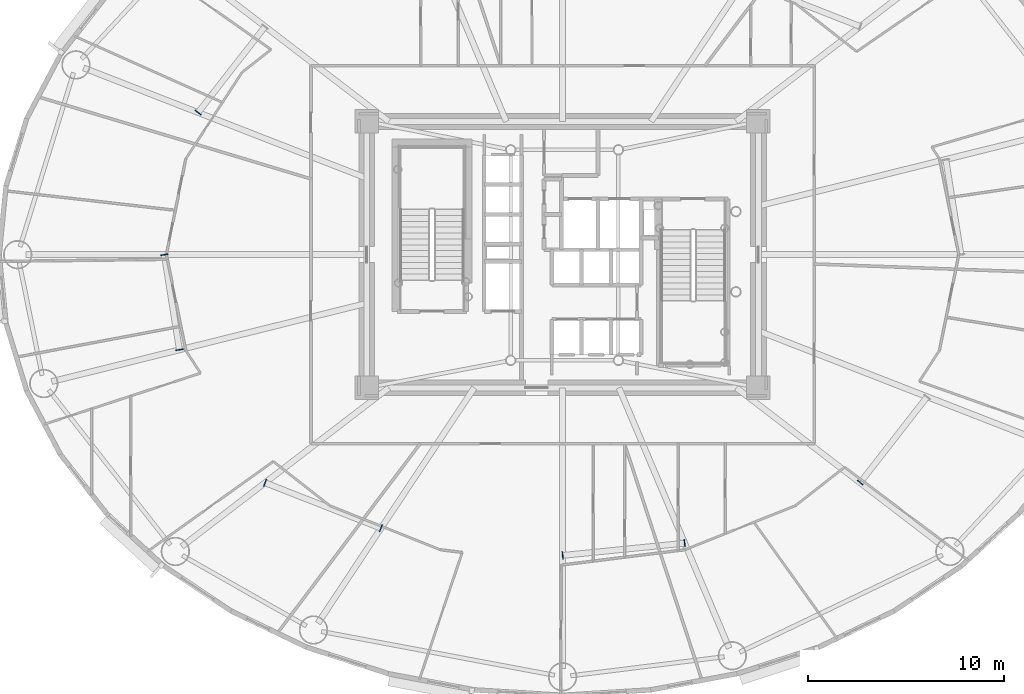
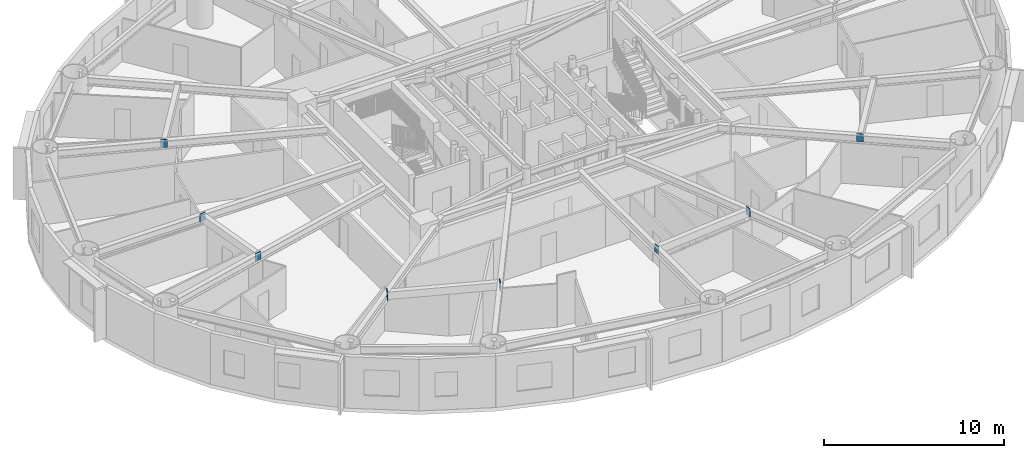
# One storey, part 6 of 19: 8 plates.
"""IFC4 building model written with IfcOpenShell, lengths in metres."""

from ifc_helpers import new_model, si_unit, direction, frame, origin, origin_2d, place, context, subcontext, project, spatial, rectangle, extrude, source, transform, mapped, material, layer, layer_set, type_object, element, save


model = new_model("IFC4")

# Units and contexts
model_context = context("Model", 3, precision=1e-05, world=origin(), true_north=direction((0.0, 1.0)))
body_context = subcontext(model_context, "Body", "Model", "MODEL_VIEW")
ifc_project = project(units=[si_unit("LENGTHUNIT", "METRE"), si_unit("AREAUNIT", "SQUARE_METRE"), si_unit("VOLUMEUNIT", "CUBIC_METRE"), si_unit("PLANEANGLEUNIT", "RADIAN"), si_unit("MASSUNIT", "GRAM", prefix="KILO")], contexts=[model_context])

# Site, building, storey
site_placement = place(None, origin())
site = spatial("IfcSite", under=ifc_project, at=site_placement, CompositionType="ELEMENT")
building_placement = place(site_placement, origin())
building = spatial("IfcBuilding", under=site, at=building_placement, Name="Linh Dai School and Residence Tower", CompositionType="ELEMENT")
storey_placement = place(building_placement, frame((0.0, 0.0, 112.199951171875)))
storey = spatial("IfcBuildingStorey", under=building, at=storey_placement, Name="L26", CompositionType="ELEMENT", Elevation=112.199951171875)

# Plates
ifc_material = material(Name="Structural Steel S355JR", Category="steel")
ifc_layer = layer(ifc_material, 0.0400390625)
ifc_layer_set = layer_set([ifc_layer], Name="Structural Steel S355JR")
plate_type = type_object("IfcPlateType", Name="PLT-GP1", PredefinedType="USERDEFINED", material=ifc_layer_set)
shared_shape = source(origin(), body_context, "Body", "SweptSolid", [
    extrude(rectangle(XDim=0.0400390625, YDim=0.3798828125, at=origin_2d()), origin(), (0.0, 0.0, 1.0), 0.5400390625),
])
for number, where, z_axis, x_axis, name in (
    (1, (17.390625, 34.260009765625, 2.97998046875), (0.0, 0.0, 1.0), (-0.614362913717, -0.789023580287, 0.0), "L26 Secondary Beam End Plate 04B"),
    (2, (15.662353515625, 26.9951171875, 2.97998046875), (0.0, 0.0, 1.0), (0.157025103807, -0.987594611556, 0.0), "L26 Secondary Beam End Plate 05A"),
    (3, (16.43359375, 22.14453125, 2.97998046875), (0.0, 0.0, 1.0), (0.157025103807, -0.987594611556, 0.0), "L26 Secondary Beam End Plate 05B"),
    (4, (20.810546875, 15.35205078125, 2.97998046875), (0.0, 0.0, 1.0), (0.930752465806, -0.3656498973, 0.0), "L26 Secondary Beam End Plate 06A"),
    (5, (26.720703125, 13.030029296875, 2.97998046875), (0.0, 0.0, 1.0), (0.930752465806, -0.3656498973, 0.0), "L26 Secondary Beam End Plate 06B"),
    (6, (36.0048828125, 11.642578125, 2.97998046875), (0.0, 0.0, 1.0), (0.995041739642, 0.09945821419, 0.0), "L26 Secondary Beam End Plate 07A"),
    (7, (42.2294921875, 12.2646484375, 2.97998046875), (0.0, 0.0, 1.0), (0.995041739642, 0.09945821419, 0.0), "L26 Secondary Beam End Plate 07B"),
    (8, (51.197265625, 15.35791015625, 2.97998046875), (0.0, 0.0, 1.0), (0.614362913717, 0.789023580287, 0.0), "L26 Secondary Beam End Plate 08A"),
):
    element("IfcPlate", number, at=place(storey_placement, frame(where, z_axis=z_axis, x_axis=x_axis)), inside=storey, type_object=plate_type, Name=name, ObjectType="GUSSET PLATE", PredefinedType="USERDEFINED", context=body_context, shape_type="MappedRepresentation", body=[
        mapped(shared_shape, transform((0.0, 0.0, 0.0), x_axis=(1.0, 0.0, 0.0), y_axis=(0.0, 1.0, 0.0), z_axis=(0.0, 0.0, 1.0), scale=1.0)),
    ])

save(model, "model.ifc")
